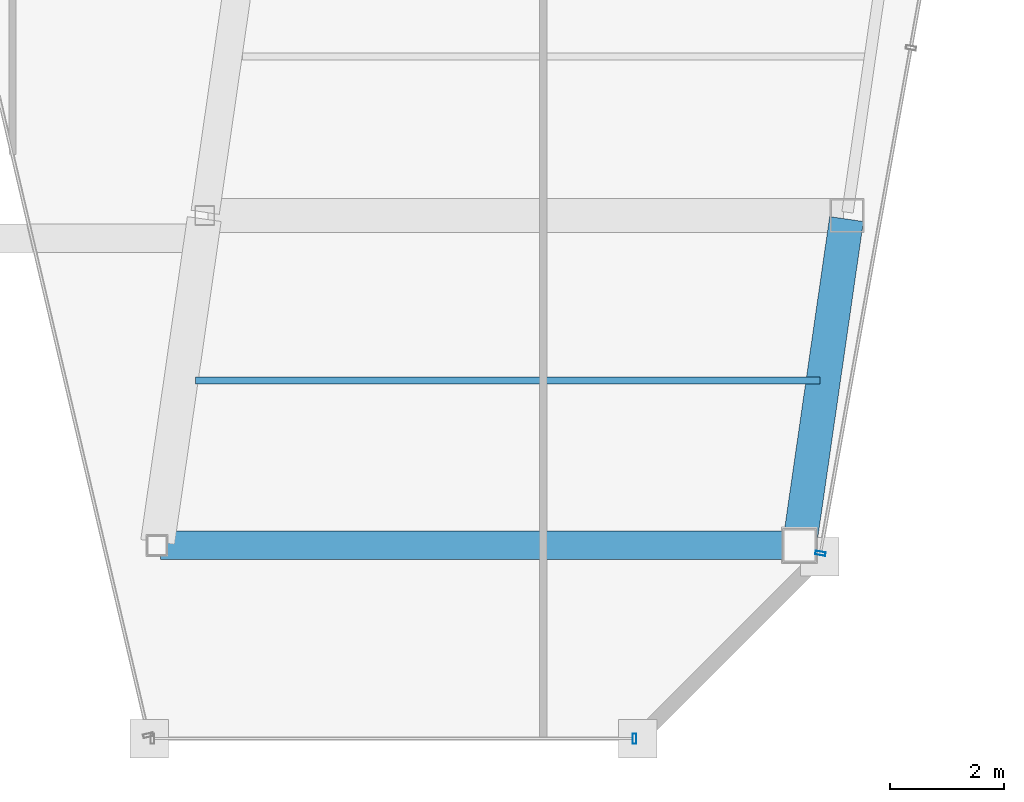
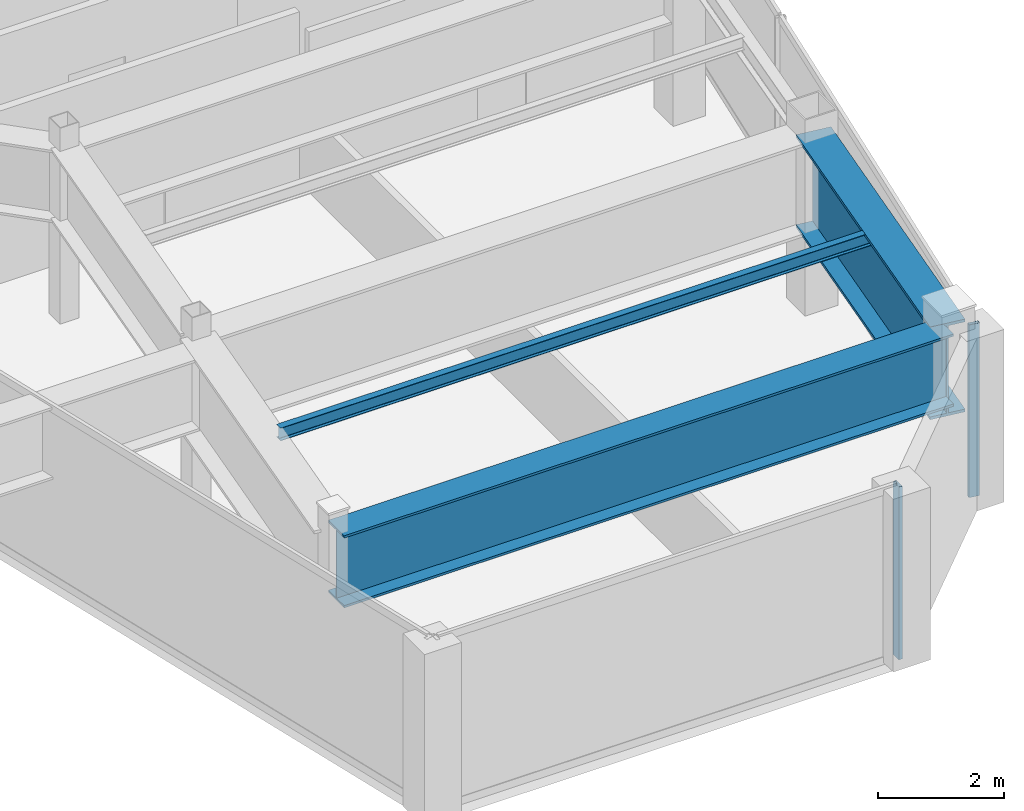
# One storey, part 12 of 30: 3 beams, 2 members, 2 elements without a shape of their own.
"""IFC4 building model written with IfcOpenShell, lengths in metres."""

from ifc_helpers import new_model, si_unit, direction, frame, origin, origin_2d, place, context, subcontext, project, spatial, hollow_rectangle, i_section, extrude, material, material_profile, profile_set, type_object, element, aggregate, save


model = new_model("IFC4")

# Units and contexts
model_context = context("Model", 3, precision=1e-05, world=origin(), true_north=direction((0.0, 1.0)))
body_context = subcontext(model_context, "Body", "Model", "MODEL_VIEW")
ifc_project = project(units=[si_unit("LENGTHUNIT", "METRE"), si_unit("AREAUNIT", "SQUARE_METRE"), si_unit("VOLUMEUNIT", "CUBIC_METRE"), si_unit("PLANEANGLEUNIT", "RADIAN"), si_unit("MASSUNIT", "GRAM", prefix="KILO")], contexts=[model_context])

# Site, building, storey
site_placement = place(None, origin())
site = spatial("IfcSite", under=ifc_project, at=site_placement, CompositionType="ELEMENT")
building_placement = place(site_placement, origin())
building = spatial("IfcBuilding", under=site, at=building_placement, Name="Saevonmaru Cultural Tower", CompositionType="ELEMENT")
storey_placement = place(building_placement, frame((0.0, 0.0, 272.39990234375)))
storey = spatial("IfcBuildingStorey", under=building, at=storey_placement, Name="L64", CompositionType="ELEMENT", Elevation=272.39990234375)

# Beams
ifc_material_1 = material(Name="Steel SM355", Category="steel")
ifc_material_profile_1 = material_profile(ifc_material_1, i_section(OverallWidth=0.125, OverallDepth=0.25, WebThickness=0.006103515625, FlangeThickness=0.009033203125, FilletRadius=0.008056640625, at=origin_2d()), Name="H-250x125x6x9")
ifc_profile_set_1 = profile_set([ifc_material_profile_1], Name="Steel SM355")
beam_type_1 = type_object("IfcBeamType", Name="BM-J-H250", PredefinedType="JOIST", material=ifc_profile_set_1)
beam_1_placement = place(storey_placement, frame((40.222412109375, 29.10009765625, 3.22509765625), z_axis=(1.0, 0.0, 0.0), x_axis=(0.0, 1.0, 0.0)))
element("IfcBeam", 1, at=beam_1_placement, inside=storey, type_object=beam_type_1, Name="L64 East Wing Floor Joist 1", PredefinedType="JOIST", context=body_context, shape_type="SweptSolid", body=[
    extrude(i_section(OverallWidth=0.125, OverallDepth=0.25, WebThickness=0.006103515625, FlangeThickness=0.009033203125, FilletRadius=0.008056640625, at=origin_2d()), origin(), (0.0, 0.0, 1.0), 10.982177734375),
])
ifc_material_2 = material(Name="Steel HSA600 (600 MPa)", Category="steel")
ifc_material_profile_2 = material_profile(ifc_material_2, i_section(OverallWidth=0.5, OverallDepth=1.39990234375, WebThickness=0.02392578125, FlangeThickness=0.044921875, at=origin_2d()), Name="PG-1400x500x24x45")
ifc_profile_set_2 = profile_set([ifc_material_profile_2], Name="Steel HSA600 (600 MPa)")
beam_type_2 = type_object("IfcBeamType", Name="BM-TG-PG1400", PredefinedType="BEAM", material=ifc_profile_set_2)
beam_2_placement = place(storey_placement, frame((39.60595703125, 26.199951171875, 2.650146484375), z_axis=(1.0, 0.0, 0.0), x_axis=(0.0, 1.0, 0.0)))
element("IfcBeam", 2, at=beam_2_placement, inside=storey, type_object=beam_type_2, Name="L64 East Wing Transverse Girder 1", PredefinedType="BEAM", context=body_context, shape_type="SweptSolid", body=[
    extrude(i_section(OverallWidth=0.5, OverallDepth=1.39990234375, WebThickness=0.02392578125, FlangeThickness=0.044921875, at=origin_2d()), origin(), (0.0, 0.0, 1.0), 11.179931640625),
])
ifc_material_profile_3 = material_profile(ifc_material_2, i_section(OverallWidth=0.60009765625, OverallDepth=1.800048828125, WebThickness=0.028076171875, FlangeThickness=0.054931640625, at=origin_2d()), Name="PG-1800x600x28x55")
ifc_profile_set_3 = profile_set([ifc_material_profile_3], Name="Steel HSA600 (600 MPa)")
beam_type_3 = type_object("IfcBeamType", Name="BM-TG-PG1800-EXT", PredefinedType="SPANDREL", material=ifc_profile_set_3)
beam_3_placement = place(storey_placement, frame((50.8544921875, 26.259521484375, 2.4501953125), z_axis=(0.142826510921, 0.989747739466, 0.0), x_axis=(-0.989747739466, 0.142826510921, 0.0)))
element("IfcBeam", 3, at=beam_3_placement, inside=storey, type_object=beam_type_3, Name="L64 East Splayed Spandrel 1", PredefinedType="SPANDREL", context=body_context, shape_type="SweptSolid", body=[
    extrude(i_section(OverallWidth=0.60009765625, OverallDepth=1.800048828125, WebThickness=0.028076171875, FlangeThickness=0.054931640625, at=origin_2d()), origin(), (0.0, 0.0, 1.0), 5.739990234375),
])

# Curtain wall, member
ifc_material_3 = material(Name="Satin Bronze Anodised Aluminium", Category="aluminium")
curtain_wall_type = type_object("IfcCurtainWallType", Name="CW-TYP-B", PredefinedType="NOTDEFINED", material=ifc_material_3)
curtain_wall_1_placement = place(storey_placement, origin())
curtain_wall_1 = element("IfcCurtainWall", 4, at=curtain_wall_1_placement, inside=storey, type_object=curtain_wall_type, Name="L64 Unitised Curtain Wall E6", PredefinedType="NOTDEFINED")
ifc_material_profile_4 = material_profile(ifc_material_3, hollow_rectangle(XDim=0.06494140625, YDim=0.179931640625, WallThickness=0.00390625, at=origin_2d()), Name="ALU-MULL-180x65x4")
ifc_profile_set_4 = profile_set([ifc_material_profile_4], Name="Satin Bronze Anodised Aluminium")
member_type = type_object("IfcMemberType", Name="ML-CW-180x65", PredefinedType="MULLION", material=ifc_profile_set_4)
member_1_placement = place(storey_placement, frame((47.9443359375, 22.800048828125, 0.0), z_axis=(0.0, 0.0, 1.0), x_axis=(1.0, 0.0, 0.0)))
member_1 = element("IfcMember", 5, at=member_1_placement, type_object=member_type, Name="CW-TW-L64-E6 mullion 2", PredefinedType="MULLION", context=body_context, shape_type="SweptSolid", body=[
    extrude(hollow_rectangle(XDim=0.06494140625, YDim=0.179931640625, WallThickness=0.00390625, at=origin_2d()), origin(), (0.0, 0.0, 1.0), 3.35009765625),
])
aggregate(curtain_wall_1, [member_1])

curtain_wall_2_placement = place(storey_placement, origin())
curtain_wall_2 = element("IfcCurtainWall", 6, at=curtain_wall_2_placement, inside=storey, type_object=curtain_wall_type, Name="L64 Unitised Curtain Wall E8", PredefinedType="NOTDEFINED")
member_2_placement = place(storey_placement, frame((51.215087890625, 26.05908203125, 0.0), z_axis=(0.0, 0.0, 1.0), x_axis=(0.176140740755, 0.984364993001, 0.0)))
member_2 = element("IfcMember", 7, at=member_2_placement, type_object=member_type, Name="CW-TW-L64-E8 mullion 1", PredefinedType="MULLION", context=body_context, shape_type="SweptSolid", body=[
    extrude(hollow_rectangle(XDim=0.06494140625, YDim=0.179931640625, WallThickness=0.00390625, at=origin_2d()), origin(), (0.0, 0.0, 1.0), 3.35009765625),
])
aggregate(curtain_wall_2, [member_2])

save(model, "model.ifc")
